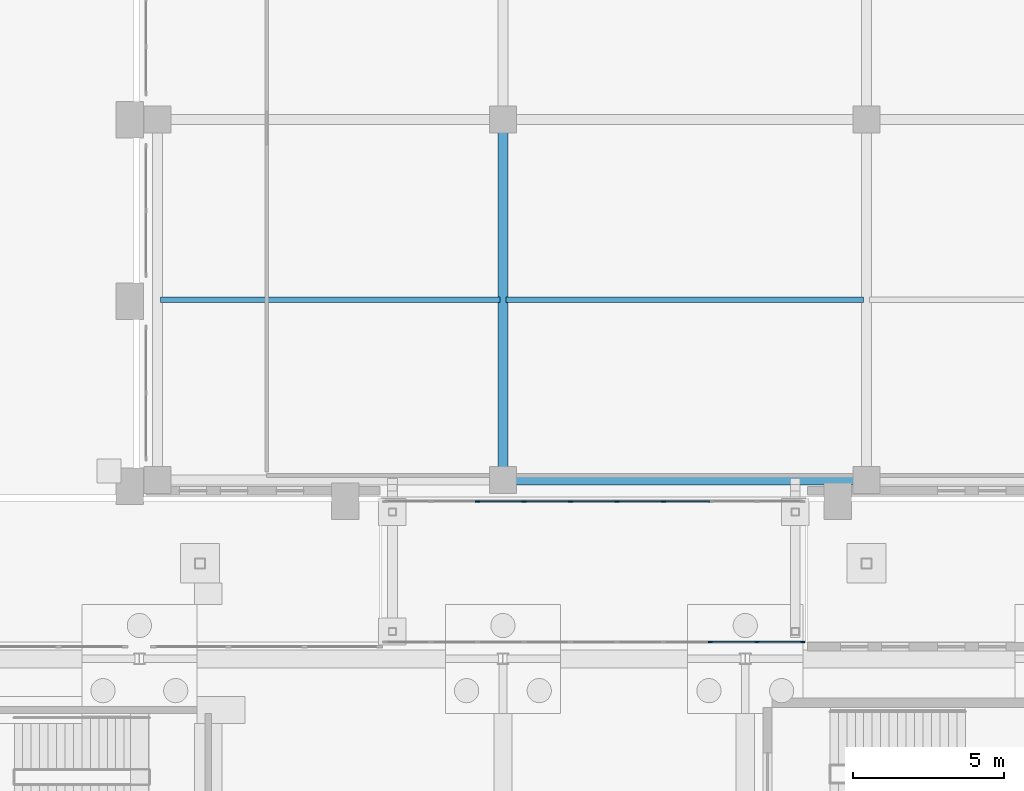
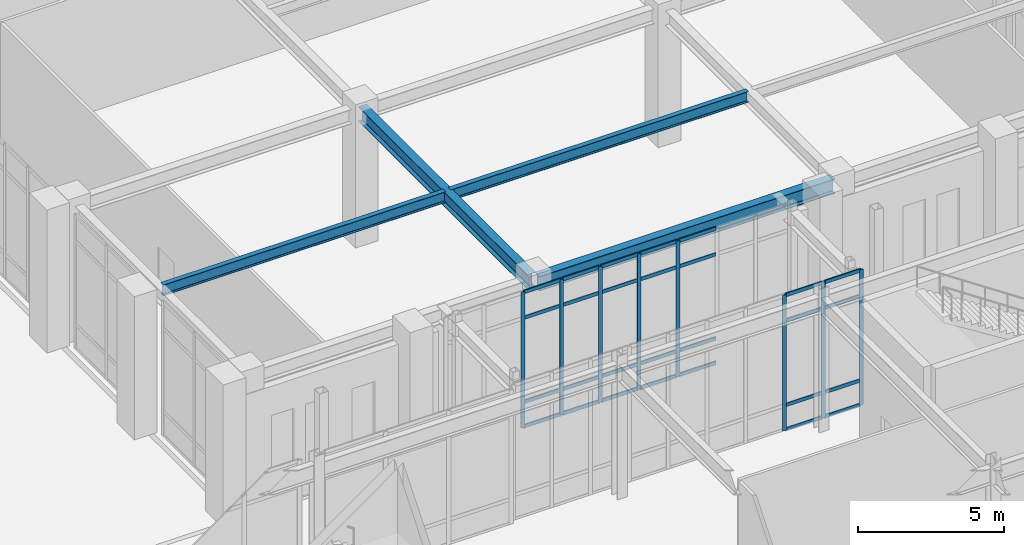
# One storey, part 72 of 143: 36 members, 4 beams, 2 elements without a shape of their own.
"""IFC4 building model written with IfcOpenShell, lengths in metres."""

from ifc_helpers import new_model, si_unit, derived_unit, direction, frame, origin, origin_2d, place, context, subcontext, project, spatial, rectangle, i_section, extrude, material, layer, layer_set, material_profile, profile_set, type_object, element, aggregate, save


model = new_model("IFC4")

# Units and contexts
model_context = context("Model", 3, precision=1e-05, world=origin(), true_north=direction((0.0, 1.0)))
body_context = subcontext(model_context, "Body", "Model", "MODEL_VIEW")
ifc_project = project(units=[si_unit("LENGTHUNIT", "METRE"), si_unit("AREAUNIT", "SQUARE_METRE"), si_unit("VOLUMEUNIT", "CUBIC_METRE"), si_unit("PLANEANGLEUNIT", "RADIAN"), si_unit("MASSUNIT", "GRAM", prefix="KILO"), derived_unit("THERMALTRANSMITTANCEUNIT", [(si_unit("MASSUNIT", "GRAM", prefix="KILO"), 1), (si_unit("TIMEUNIT", "SECOND"), -3), (si_unit("THERMODYNAMICTEMPERATUREUNIT", "KELVIN"), -1)])], contexts=[model_context])

# Site, building, storey
site_placement = place(None, origin())
site = spatial("IfcSite", under=ifc_project, at=site_placement, CompositionType="ELEMENT")
building_placement = place(site_placement, origin())
building = spatial("IfcBuilding", under=site, at=building_placement, Name="Valcora Ridge Arena", CompositionType="ELEMENT")
storey_placement = place(building_placement, origin())
storey = spatial("IfcBuildingStorey", under=building, at=storey_placement, Name="L00", CompositionType="ELEMENT", Elevation=0.0)

# Beams
ifc_material_1 = material(Name="Steel ASTM A572 Grade 50", Category="steel")
ifc_material_profile_1 = material_profile(ifc_material_1, i_section(OverallWidth=0.324951171875, OverallDepth=0.612060546875, WebThickness=0.0126953125, FlangeThickness=0.01904296875, FilletRadius=0.01806640625, at=origin_2d()), Name="W24X104")
ifc_profile_set_1 = profile_set([ifc_material_profile_1], Name="Steel ASTM A572 Grade 50")
beam_type_1 = type_object("IfcBeamType", Name="TY-BEAM-G-W24X104-Y", PredefinedType="BEAM", material=ifc_profile_set_1)
beam_1_placement = place(storey_placement, frame((168.0, 83.840087890625, 5.333984375), z_axis=(0.0, 1.0, 0.0), x_axis=(-1.0, 0.0, 0.0)))
element("IfcBeam", 1, at=beam_1_placement, inside=storey, type_object=beam_type_1, Name="G-W24X104-Y BEM-G-W24X104-Y-0025", PredefinedType="BEAM", context=body_context, shape_type="SweptSolid", body=[
    extrude(i_section(OverallWidth=0.324951171875, OverallDepth=0.612060546875, WebThickness=0.0126953125, FlangeThickness=0.01904296875, FilletRadius=0.01806640625, at=origin_2d()), origin(), (0.0, 0.0, 1.0), 11.619873046875),
])
ifc_material_profile_2 = material_profile(ifc_material_1, i_section(OverallWidth=0.18994140625, OverallDepth=0.45703125, WebThickness=0.009033203125, FlangeThickness=0.014404296875, FilletRadius=0.014892578125, at=origin_2d()), Name="W18X50")
ifc_profile_set_2 = profile_set([ifc_material_profile_2], Name="Steel ASTM A572 Grade 50")
beam_type_2 = type_object("IfcBeamType", Name="TY-BEAM-J-W18X50", PredefinedType="JOIST", material=ifc_profile_set_2)
beam_2_placement = place(storey_placement, frame((156.699951171875, 89.64990234375, 5.41162109375), z_axis=(1.0, 0.0, 0.0), x_axis=(0.0, 1.0, 0.0)))
element("IfcBeam", 2, at=beam_2_placement, inside=storey, type_object=beam_type_2, Name="J-W18X50 BEM-J-W18X50-0018", PredefinedType="JOIST", context=body_context, shape_type="SweptSolid", body=[
    extrude(i_section(OverallWidth=0.18994140625, OverallDepth=0.45703125, WebThickness=0.009033203125, FlangeThickness=0.014404296875, FilletRadius=0.014892578125, at=origin_2d()), origin(), (0.0, 0.0, 1.0), 11.199951171875),
])
beam_3_placement = place(storey_placement, frame((168.10009765625, 89.64990234375, 5.41162109375), z_axis=(1.0, 0.0, 0.0), x_axis=(0.0, 1.0, 0.0)))
element("IfcBeam", 3, at=beam_3_placement, inside=storey, type_object=beam_type_2, Name="J-W18X50 BEM-J-W18X50-0019", PredefinedType="JOIST", context=body_context, shape_type="SweptSolid", body=[
    extrude(i_section(OverallWidth=0.18994140625, OverallDepth=0.45703125, WebThickness=0.009033203125, FlangeThickness=0.014404296875, FilletRadius=0.014892578125, at=origin_2d()), origin(), (0.0, 0.0, 1.0), 11.7998046875),
])
ifc_material_profile_3 = material_profile(ifc_material_1, i_section(OverallWidth=0.324951171875, OverallDepth=0.612060546875, WebThickness=0.0126953125, FlangeThickness=0.01904296875, FilletRadius=0.01806640625, at=origin_2d()), Name="W24X104")
ifc_profile_set_3 = profile_set([ifc_material_profile_3], Name="Steel ASTM A572 Grade 50")
beam_type_3 = type_object("IfcBeamType", Name="TY-BEAM-SP-W24X104", PredefinedType="SPANDREL", material=ifc_profile_set_3)
beam_4_placement = place(storey_placement, frame((168.139892578125, 83.699951171875, 5.333984375), z_axis=(1.0, 0.0, 0.0), x_axis=(0.0, 1.0, 0.0)))
element("IfcBeam", 4, at=beam_4_placement, inside=storey, type_object=beam_type_3, Name="SP-W24X104 BEM-SP-W24X104-0002", PredefinedType="SPANDREL", context=body_context, shape_type="SweptSolid", body=[
    extrude(i_section(OverallWidth=0.324951171875, OverallDepth=0.612060546875, WebThickness=0.0126953125, FlangeThickness=0.01904296875, FilletRadius=0.01806640625, at=origin_2d()), origin(), (0.0, 0.0, 1.0), 11.72021484375),
])

# Curtain wall, members
ifc_material_2 = material(Name="Anodised dark bronze architectural aluminium 6063-T6", Category="aluminium")
ifc_layer = layer(ifc_material_2, 0.14990234375, Name="Anodised dark bronze architectural aluminium 6063-T6")
ifc_layer_set = layer_set([ifc_layer], Name="Anodised dark bronze architectural aluminium 6063-T6")
curtain_wall_type = type_object("IfcCurtainWallType", Name="TY-CURTAINWALL-CW-BRG-138X57", PredefinedType="NOTDEFINED", material=ifc_layer_set)
curtain_wall_1_placement = place(storey_placement, origin())
curtain_wall_1 = element("IfcCurtainWall", 5, at=curtain_wall_1_placement, inside=storey, type_object=curtain_wall_type, Name="CW-BRG-138X57 CW-0354", PredefinedType="NOTDEFINED")
ifc_material_profile_4 = material_profile(ifc_material_2, rectangle(XDim=0.050048828125, YDim=0.14990234375, at=origin_2d()), Name="ALU MULLION 50x150")
ifc_profile_set_4 = profile_set([ifc_material_profile_4], Name="Anodised dark bronze architectural aluminium 6063-T6")
member_type_1 = type_object("IfcMemberType", Name="TY-MEM-CWM-50x150", PredefinedType="MULLION", material=ifc_profile_set_4)
member_1_placement = place(storey_placement, frame((174.844482421875, 78.35009765625, 0.0), z_axis=(0.0, 0.0, 1.0), x_axis=(0.0, 1.0, 0.0)))
member_1 = element("IfcMember", 6, at=member_1_placement, type_object=member_type_1, Name="CW-0354/CWM-50x150/M07", PredefinedType="MULLION", context=body_context, shape_type="SweptSolid", body=[
    extrude(rectangle(XDim=0.050048828125, YDim=0.14990234375, at=origin_2d()), origin(), (0.0, 0.0, 1.0), 5.679931640625),
])
member_2_placement = place(storey_placement, frame((176.382080078125, 78.35009765625, 0.0), z_axis=(0.0, 0.0, 1.0), x_axis=(0.0, 1.0, 0.0)))
member_2 = element("IfcMember", 7, at=member_2_placement, type_object=member_type_1, Name="CW-0354/CWM-50x150/M08", PredefinedType="MULLION", context=body_context, shape_type="SweptSolid", body=[
    extrude(rectangle(XDim=0.050048828125, YDim=0.14990234375, at=origin_2d()), origin(), (0.0, 0.0, 1.0), 5.679931640625),
])
member_3_placement = place(storey_placement, frame((177.89501953125, 78.35009765625, 0.0), z_axis=(0.0, 0.0, 1.0), x_axis=(0.0, 1.0, 0.0)))
member_3 = element("IfcMember", 8, at=member_3_placement, type_object=member_type_1, Name="CW-0354/CWM-50x150/M09", PredefinedType="MULLION", context=body_context, shape_type="SweptSolid", body=[
    extrude(rectangle(XDim=0.050048828125, YDim=0.14990234375, at=origin_2d()), origin(), (0.0, 0.0, 1.0), 5.679931640625),
])

curtain_wall_2_placement = place(storey_placement, origin())
curtain_wall_2 = element("IfcCurtainWall", 9, at=curtain_wall_2_placement, inside=storey, type_object=curtain_wall_type, Name="CW-BRG-138X57 CW-0355", PredefinedType="NOTDEFINED")
member_4_placement = place(storey_placement, frame((167.155517578125, 83.0, 0.0), z_axis=(0.0, 0.0, 1.0), x_axis=(0.0, 1.0, 0.0)))
member_4 = element("IfcMember", 10, at=member_4_placement, type_object=member_type_1, Name="CW-0355/CWM-50x150/M02", PredefinedType="MULLION", context=body_context, shape_type="SweptSolid", body=[
    extrude(rectangle(XDim=0.050048828125, YDim=0.14990234375, at=origin_2d()), origin(), (0.0, 0.0, 1.0), 5.679931640625),
])
member_5_placement = place(storey_placement, frame((168.693359375, 83.0, 0.0), z_axis=(0.0, 0.0, 1.0), x_axis=(0.0, 1.0, 0.0)))
member_5 = element("IfcMember", 11, at=member_5_placement, type_object=member_type_1, Name="CW-0355/CWM-50x150/M03", PredefinedType="MULLION", context=body_context, shape_type="SweptSolid", body=[
    extrude(rectangle(XDim=0.050048828125, YDim=0.14990234375, at=origin_2d()), origin(), (0.0, 0.0, 1.0), 5.679931640625),
])
member_6_placement = place(storey_placement, frame((170.231201171875, 83.0, 0.0), z_axis=(0.0, 0.0, 1.0), x_axis=(0.0, 1.0, 0.0)))
member_6 = element("IfcMember", 12, at=member_6_placement, type_object=member_type_1, Name="CW-0355/CWM-50x150/M04", PredefinedType="MULLION", context=body_context, shape_type="SweptSolid", body=[
    extrude(rectangle(XDim=0.050048828125, YDim=0.14990234375, at=origin_2d()), origin(), (0.0, 0.0, 1.0), 5.679931640625),
])
member_7_placement = place(storey_placement, frame((171.768798828125, 83.0, 0.0), z_axis=(0.0, 0.0, 1.0), x_axis=(0.0, 1.0, 0.0)))
member_7 = element("IfcMember", 13, at=member_7_placement, type_object=member_type_1, Name="CW-0355/CWM-50x150/M05", PredefinedType="MULLION", context=body_context, shape_type="SweptSolid", body=[
    extrude(rectangle(XDim=0.050048828125, YDim=0.14990234375, at=origin_2d()), origin(), (0.0, 0.0, 1.0), 5.679931640625),
])
member_8_placement = place(storey_placement, frame((173.306640625, 83.0, 0.0), z_axis=(0.0, 0.0, 1.0), x_axis=(0.0, 1.0, 0.0)))
member_8 = element("IfcMember", 14, at=member_8_placement, type_object=member_type_1, Name="CW-0355/CWM-50x150/M06", PredefinedType="MULLION", context=body_context, shape_type="SweptSolid", body=[
    extrude(rectangle(XDim=0.050048828125, YDim=0.14990234375, at=origin_2d()), origin(), (0.0, 0.0, 1.0), 5.679931640625),
])

# Member
ifc_material_profile_5 = material_profile(ifc_material_2, rectangle(XDim=0.050048828125, YDim=0.14990234375, at=origin_2d()), Name="ALU TRANSOM 50x150")
ifc_profile_set_5 = profile_set([ifc_material_profile_5], Name="Anodised dark bronze architectural aluminium 6063-T6")
member_type_2 = type_object("IfcMemberType", Name="TY-MEM-CWT-50x150", PredefinedType="USERDEFINED", material=ifc_profile_set_5)
member_9_placement = place(storey_placement, frame((174.868896484375, 78.35009765625, 0.02490234375), z_axis=(1.0, 0.0, 0.0), x_axis=(0.0, 1.0, 0.0)))
member_9 = element("IfcMember", 15, at=member_9_placement, type_object=member_type_2, Name="CW-0354/CWT-50x150/T07-00", ObjectType="TRANSOM", PredefinedType="USERDEFINED", context=body_context, shape_type="SweptSolid", body=[
    extrude(rectangle(XDim=0.050048828125, YDim=0.14990234375, at=origin_2d()), origin(), (0.0, 0.0, 1.0), 1.488037109375),
])

member_10_placement = place(storey_placement, frame((174.868896484375, 78.35009765625, 1.050048828125), z_axis=(1.0, 0.0, 0.0), x_axis=(0.0, 1.0, 0.0)))
member_10 = element("IfcMember", 16, at=member_10_placement, type_object=member_type_2, Name="CW-0354/CWT-50x150/T07-01", ObjectType="TRANSOM", PredefinedType="USERDEFINED", context=body_context, shape_type="SweptSolid", body=[
    extrude(rectangle(XDim=0.050048828125, YDim=0.14990234375, at=origin_2d()), origin(), (0.0, 0.0, 1.0), 1.488037109375),
])

member_11_placement = place(storey_placement, frame((174.868896484375, 78.35009765625, 4.580078125), z_axis=(1.0, 0.0, 0.0), x_axis=(0.0, 1.0, 0.0)))
member_11 = element("IfcMember", 17, at=member_11_placement, type_object=member_type_2, Name="CW-0354/CWT-50x150/T07-02", ObjectType="TRANSOM", PredefinedType="USERDEFINED", context=body_context, shape_type="SweptSolid", body=[
    extrude(rectangle(XDim=0.050048828125, YDim=0.14990234375, at=origin_2d()), origin(), (0.0, 0.0, 1.0), 1.488037109375),
])

member_12_placement = place(storey_placement, frame((174.868896484375, 78.35009765625, 5.655029296875), z_axis=(1.0, 0.0, 0.0), x_axis=(0.0, 1.0, 0.0)))
member_12 = element("IfcMember", 18, at=member_12_placement, type_object=member_type_2, Name="CW-0354/CWT-50x150/T07-03", ObjectType="TRANSOM", PredefinedType="USERDEFINED", context=body_context, shape_type="SweptSolid", body=[
    extrude(rectangle(XDim=0.050048828125, YDim=0.14990234375, at=origin_2d()), origin(), (0.0, 0.0, 1.0), 1.488037109375),
])

member_13_placement = place(storey_placement, frame((176.406982421875, 78.35009765625, 0.02490234375), z_axis=(1.0, 0.0, 0.0), x_axis=(0.0, 1.0, 0.0)))
member_13 = element("IfcMember", 19, at=member_13_placement, type_object=member_type_2, Name="CW-0354/CWT-50x150/T08-00", ObjectType="TRANSOM", PredefinedType="USERDEFINED", context=body_context, shape_type="SweptSolid", body=[
    extrude(rectangle(XDim=0.050048828125, YDim=0.14990234375, at=origin_2d()), origin(), (0.0, 0.0, 1.0), 1.463134765625),
])

member_14_placement = place(storey_placement, frame((176.406982421875, 78.35009765625, 1.050048828125), z_axis=(1.0, 0.0, 0.0), x_axis=(0.0, 1.0, 0.0)))
member_14 = element("IfcMember", 20, at=member_14_placement, type_object=member_type_2, Name="CW-0354/CWT-50x150/T08-01", ObjectType="TRANSOM", PredefinedType="USERDEFINED", context=body_context, shape_type="SweptSolid", body=[
    extrude(rectangle(XDim=0.050048828125, YDim=0.14990234375, at=origin_2d()), origin(), (0.0, 0.0, 1.0), 1.463134765625),
])

member_15_placement = place(storey_placement, frame((176.406982421875, 78.35009765625, 4.580078125), z_axis=(1.0, 0.0, 0.0), x_axis=(0.0, 1.0, 0.0)))
member_15 = element("IfcMember", 21, at=member_15_placement, type_object=member_type_2, Name="CW-0354/CWT-50x150/T08-02", ObjectType="TRANSOM", PredefinedType="USERDEFINED", context=body_context, shape_type="SweptSolid", body=[
    extrude(rectangle(XDim=0.050048828125, YDim=0.14990234375, at=origin_2d()), origin(), (0.0, 0.0, 1.0), 1.463134765625),
])

member_16_placement = place(storey_placement, frame((176.406982421875, 78.35009765625, 5.655029296875), z_axis=(1.0, 0.0, 0.0), x_axis=(0.0, 1.0, 0.0)))
member_16 = element("IfcMember", 22, at=member_16_placement, type_object=member_type_2, Name="CW-0354/CWT-50x150/T08-03", ObjectType="TRANSOM", PredefinedType="USERDEFINED", context=body_context, shape_type="SweptSolid", body=[
    extrude(rectangle(XDim=0.050048828125, YDim=0.14990234375, at=origin_2d()), origin(), (0.0, 0.0, 1.0), 1.463134765625),
])

aggregate(curtain_wall_1, [member_1, member_2, member_3, member_9, member_10, member_11, member_12, member_13, member_14, member_15, member_16])

member_17_placement = place(storey_placement, frame((167.180908203125, 83.0, 0.02490234375), z_axis=(1.0, 0.0, 0.0), x_axis=(0.0, 1.0, 0.0)))
member_17 = element("IfcMember", 23, at=member_17_placement, type_object=member_type_2, Name="CW-0355/CWT-50x150/T02-00", ObjectType="TRANSOM", PredefinedType="USERDEFINED", context=body_context, shape_type="SweptSolid", body=[
    extrude(rectangle(XDim=0.050048828125, YDim=0.14990234375, at=origin_2d()), origin(), (0.0, 0.0, 1.0), 1.487060546875),
])

member_18_placement = place(storey_placement, frame((167.180908203125, 83.0, 1.050048828125), z_axis=(1.0, 0.0, 0.0), x_axis=(0.0, 1.0, 0.0)))
member_18 = element("IfcMember", 24, at=member_18_placement, type_object=member_type_2, Name="CW-0355/CWT-50x150/T02-01", ObjectType="TRANSOM", PredefinedType="USERDEFINED", context=body_context, shape_type="SweptSolid", body=[
    extrude(rectangle(XDim=0.050048828125, YDim=0.14990234375, at=origin_2d()), origin(), (0.0, 0.0, 1.0), 1.487060546875),
])

member_19_placement = place(storey_placement, frame((167.180908203125, 83.0, 4.580078125), z_axis=(1.0, 0.0, 0.0), x_axis=(0.0, 1.0, 0.0)))
member_19 = element("IfcMember", 25, at=member_19_placement, type_object=member_type_2, Name="CW-0355/CWT-50x150/T02-02", ObjectType="TRANSOM", PredefinedType="USERDEFINED", context=body_context, shape_type="SweptSolid", body=[
    extrude(rectangle(XDim=0.050048828125, YDim=0.14990234375, at=origin_2d()), origin(), (0.0, 0.0, 1.0), 1.487060546875),
])

member_20_placement = place(storey_placement, frame((167.180908203125, 83.0, 5.655029296875), z_axis=(1.0, 0.0, 0.0), x_axis=(0.0, 1.0, 0.0)))
member_20 = element("IfcMember", 26, at=member_20_placement, type_object=member_type_2, Name="CW-0355/CWT-50x150/T02-03", ObjectType="TRANSOM", PredefinedType="USERDEFINED", context=body_context, shape_type="SweptSolid", body=[
    extrude(rectangle(XDim=0.050048828125, YDim=0.14990234375, at=origin_2d()), origin(), (0.0, 0.0, 1.0), 1.487060546875),
])

member_21_placement = place(storey_placement, frame((168.718017578125, 83.0, 0.02490234375), z_axis=(1.0, 0.0, 0.0), x_axis=(0.0, 1.0, 0.0)))
member_21 = element("IfcMember", 27, at=member_21_placement, type_object=member_type_2, Name="CW-0355/CWT-50x150/T03-00", ObjectType="TRANSOM", PredefinedType="USERDEFINED", context=body_context, shape_type="SweptSolid", body=[
    extrude(rectangle(XDim=0.050048828125, YDim=0.14990234375, at=origin_2d()), origin(), (0.0, 0.0, 1.0), 1.488037109375),
])

member_22_placement = place(storey_placement, frame((168.718017578125, 83.0, 1.050048828125), z_axis=(1.0, 0.0, 0.0), x_axis=(0.0, 1.0, 0.0)))
member_22 = element("IfcMember", 28, at=member_22_placement, type_object=member_type_2, Name="CW-0355/CWT-50x150/T03-01", ObjectType="TRANSOM", PredefinedType="USERDEFINED", context=body_context, shape_type="SweptSolid", body=[
    extrude(rectangle(XDim=0.050048828125, YDim=0.14990234375, at=origin_2d()), origin(), (0.0, 0.0, 1.0), 1.488037109375),
])

member_23_placement = place(storey_placement, frame((168.718017578125, 83.0, 4.580078125), z_axis=(1.0, 0.0, 0.0), x_axis=(0.0, 1.0, 0.0)))
member_23 = element("IfcMember", 29, at=member_23_placement, type_object=member_type_2, Name="CW-0355/CWT-50x150/T03-02", ObjectType="TRANSOM", PredefinedType="USERDEFINED", context=body_context, shape_type="SweptSolid", body=[
    extrude(rectangle(XDim=0.050048828125, YDim=0.14990234375, at=origin_2d()), origin(), (0.0, 0.0, 1.0), 1.488037109375),
])

member_24_placement = place(storey_placement, frame((168.718017578125, 83.0, 5.655029296875), z_axis=(1.0, 0.0, 0.0), x_axis=(0.0, 1.0, 0.0)))
member_24 = element("IfcMember", 30, at=member_24_placement, type_object=member_type_2, Name="CW-0355/CWT-50x150/T03-03", ObjectType="TRANSOM", PredefinedType="USERDEFINED", context=body_context, shape_type="SweptSolid", body=[
    extrude(rectangle(XDim=0.050048828125, YDim=0.14990234375, at=origin_2d()), origin(), (0.0, 0.0, 1.0), 1.488037109375),
])

member_25_placement = place(storey_placement, frame((170.256103515625, 83.0, 0.02490234375), z_axis=(1.0, 0.0, 0.0), x_axis=(0.0, 1.0, 0.0)))
member_25 = element("IfcMember", 31, at=member_25_placement, type_object=member_type_2, Name="CW-0355/CWT-50x150/T04-00", ObjectType="TRANSOM", PredefinedType="USERDEFINED", context=body_context, shape_type="SweptSolid", body=[
    extrude(rectangle(XDim=0.050048828125, YDim=0.14990234375, at=origin_2d()), origin(), (0.0, 0.0, 1.0), 1.48779296875),
])

member_26_placement = place(storey_placement, frame((170.256103515625, 83.0, 1.050048828125), z_axis=(1.0, 0.0, 0.0), x_axis=(0.0, 1.0, 0.0)))
member_26 = element("IfcMember", 32, at=member_26_placement, type_object=member_type_2, Name="CW-0355/CWT-50x150/T04-01", ObjectType="TRANSOM", PredefinedType="USERDEFINED", context=body_context, shape_type="SweptSolid", body=[
    extrude(rectangle(XDim=0.050048828125, YDim=0.14990234375, at=origin_2d()), origin(), (0.0, 0.0, 1.0), 1.48779296875),
])

member_27_placement = place(storey_placement, frame((170.256103515625, 83.0, 4.580078125), z_axis=(1.0, 0.0, 0.0), x_axis=(0.0, 1.0, 0.0)))
member_27 = element("IfcMember", 33, at=member_27_placement, type_object=member_type_2, Name="CW-0355/CWT-50x150/T04-02", ObjectType="TRANSOM", PredefinedType="USERDEFINED", context=body_context, shape_type="SweptSolid", body=[
    extrude(rectangle(XDim=0.050048828125, YDim=0.14990234375, at=origin_2d()), origin(), (0.0, 0.0, 1.0), 1.48779296875),
])

member_28_placement = place(storey_placement, frame((170.256103515625, 83.0, 5.655029296875), z_axis=(1.0, 0.0, 0.0), x_axis=(0.0, 1.0, 0.0)))
member_28 = element("IfcMember", 34, at=member_28_placement, type_object=member_type_2, Name="CW-0355/CWT-50x150/T04-03", ObjectType="TRANSOM", PredefinedType="USERDEFINED", context=body_context, shape_type="SweptSolid", body=[
    extrude(rectangle(XDim=0.050048828125, YDim=0.14990234375, at=origin_2d()), origin(), (0.0, 0.0, 1.0), 1.48779296875),
])

member_29_placement = place(storey_placement, frame((171.7939453125, 83.0, 0.02490234375), z_axis=(1.0, 0.0, 0.0), x_axis=(0.0, 1.0, 0.0)))
member_29 = element("IfcMember", 35, at=member_29_placement, type_object=member_type_2, Name="CW-0355/CWT-50x150/T05-00", ObjectType="TRANSOM", PredefinedType="USERDEFINED", context=body_context, shape_type="SweptSolid", body=[
    extrude(rectangle(XDim=0.050048828125, YDim=0.14990234375, at=origin_2d()), origin(), (0.0, 0.0, 1.0), 1.488037109375),
])

member_30_placement = place(storey_placement, frame((171.7939453125, 83.0, 1.050048828125), z_axis=(1.0, 0.0, 0.0), x_axis=(0.0, 1.0, 0.0)))
member_30 = element("IfcMember", 36, at=member_30_placement, type_object=member_type_2, Name="CW-0355/CWT-50x150/T05-01", ObjectType="TRANSOM", PredefinedType="USERDEFINED", context=body_context, shape_type="SweptSolid", body=[
    extrude(rectangle(XDim=0.050048828125, YDim=0.14990234375, at=origin_2d()), origin(), (0.0, 0.0, 1.0), 1.488037109375),
])

member_31_placement = place(storey_placement, frame((171.7939453125, 83.0, 4.580078125), z_axis=(1.0, 0.0, 0.0), x_axis=(0.0, 1.0, 0.0)))
member_31 = element("IfcMember", 37, at=member_31_placement, type_object=member_type_2, Name="CW-0355/CWT-50x150/T05-02", ObjectType="TRANSOM", PredefinedType="USERDEFINED", context=body_context, shape_type="SweptSolid", body=[
    extrude(rectangle(XDim=0.050048828125, YDim=0.14990234375, at=origin_2d()), origin(), (0.0, 0.0, 1.0), 1.488037109375),
])

member_32_placement = place(storey_placement, frame((171.7939453125, 83.0, 5.655029296875), z_axis=(1.0, 0.0, 0.0), x_axis=(0.0, 1.0, 0.0)))
member_32 = element("IfcMember", 38, at=member_32_placement, type_object=member_type_2, Name="CW-0355/CWT-50x150/T05-03", ObjectType="TRANSOM", PredefinedType="USERDEFINED", context=body_context, shape_type="SweptSolid", body=[
    extrude(rectangle(XDim=0.050048828125, YDim=0.14990234375, at=origin_2d()), origin(), (0.0, 0.0, 1.0), 1.488037109375),
])

member_33_placement = place(storey_placement, frame((173.33203125, 83.0, 0.02490234375), z_axis=(1.0, 0.0, 0.0), x_axis=(0.0, 1.0, 0.0)))
member_33 = element("IfcMember", 39, at=member_33_placement, type_object=member_type_2, Name="CW-0355/CWT-50x150/T06-00", ObjectType="TRANSOM", PredefinedType="USERDEFINED", context=body_context, shape_type="SweptSolid", body=[
    extrude(rectangle(XDim=0.050048828125, YDim=0.14990234375, at=origin_2d()), origin(), (0.0, 0.0, 1.0), 1.487060546875),
])

member_34_placement = place(storey_placement, frame((173.33203125, 83.0, 1.050048828125), z_axis=(1.0, 0.0, 0.0), x_axis=(0.0, 1.0, 0.0)))
member_34 = element("IfcMember", 40, at=member_34_placement, type_object=member_type_2, Name="CW-0355/CWT-50x150/T06-01", ObjectType="TRANSOM", PredefinedType="USERDEFINED", context=body_context, shape_type="SweptSolid", body=[
    extrude(rectangle(XDim=0.050048828125, YDim=0.14990234375, at=origin_2d()), origin(), (0.0, 0.0, 1.0), 1.487060546875),
])

member_35_placement = place(storey_placement, frame((173.33203125, 83.0, 4.580078125), z_axis=(1.0, 0.0, 0.0), x_axis=(0.0, 1.0, 0.0)))
member_35 = element("IfcMember", 41, at=member_35_placement, type_object=member_type_2, Name="CW-0355/CWT-50x150/T06-02", ObjectType="TRANSOM", PredefinedType="USERDEFINED", context=body_context, shape_type="SweptSolid", body=[
    extrude(rectangle(XDim=0.050048828125, YDim=0.14990234375, at=origin_2d()), origin(), (0.0, 0.0, 1.0), 1.487060546875),
])

member_36_placement = place(storey_placement, frame((173.33203125, 83.0, 5.655029296875), z_axis=(1.0, 0.0, 0.0), x_axis=(0.0, 1.0, 0.0)))
member_36 = element("IfcMember", 42, at=member_36_placement, type_object=member_type_2, Name="CW-0355/CWT-50x150/T06-03", ObjectType="TRANSOM", PredefinedType="USERDEFINED", context=body_context, shape_type="SweptSolid", body=[
    extrude(rectangle(XDim=0.050048828125, YDim=0.14990234375, at=origin_2d()), origin(), (0.0, 0.0, 1.0), 1.487060546875),
])

aggregate(curtain_wall_2, [member_4, member_5, member_6, member_7, member_8, member_17, member_18, member_19, member_20, member_21, member_22, member_23, member_24, member_25, member_26, member_27, member_28, member_29, member_30, member_31, member_32, member_33, member_34, member_35, member_36])

save(model, "model.ifc")
